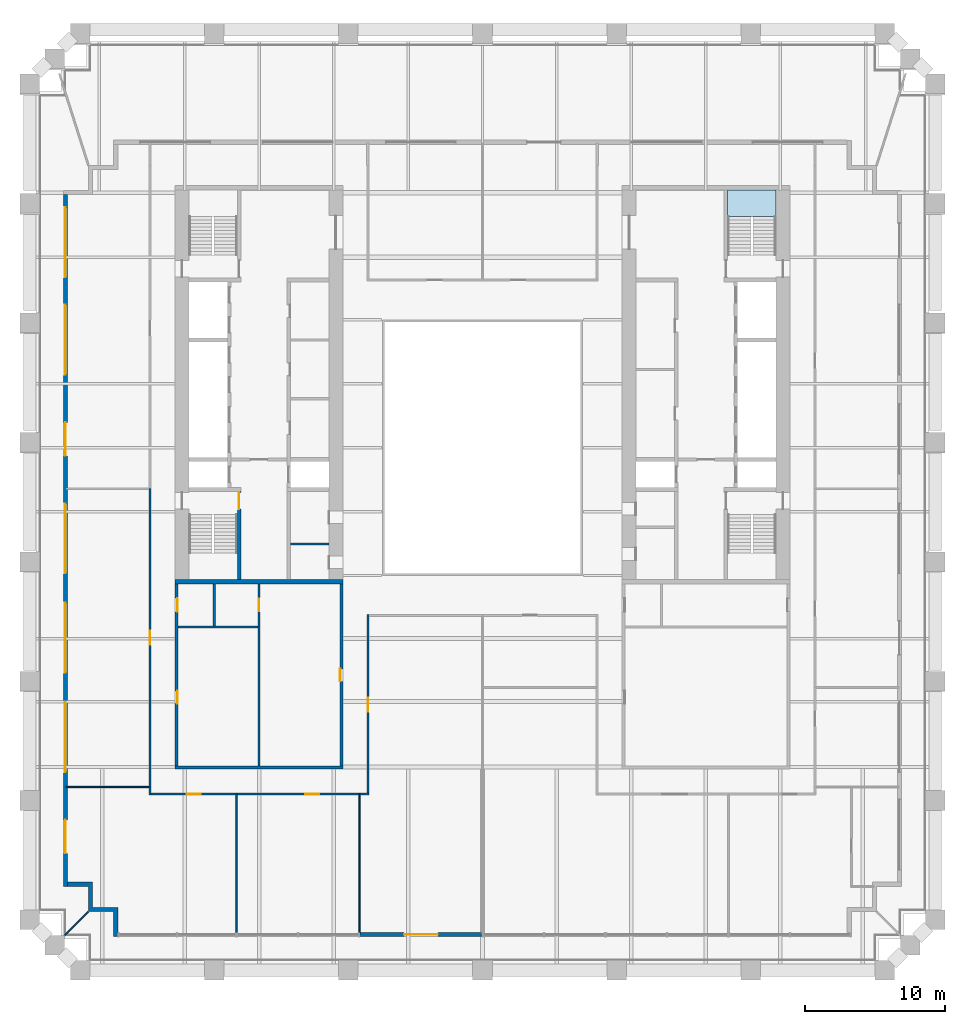
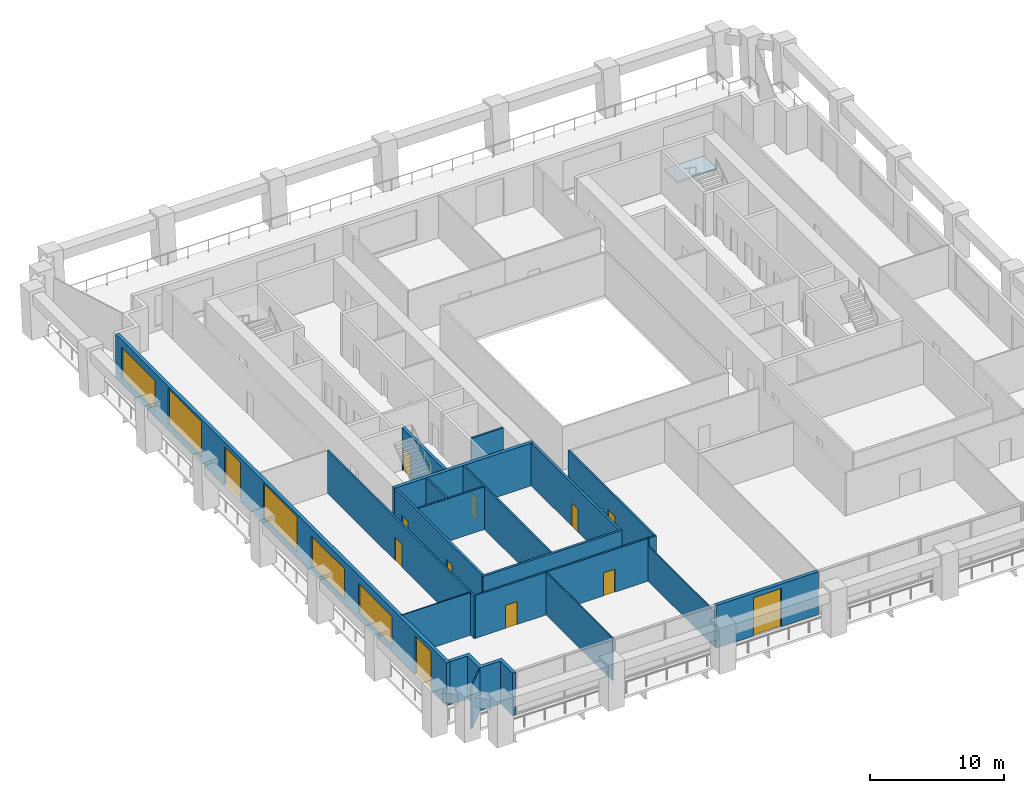
# One storey, part 5 of 11: 22 walls, 12 doors, 5 windows, 1 slab, 17 openings, 1 element without a shape of its own.
"""IFC4 building model written with IfcOpenShell, lengths in metres."""

from ifc_helpers import new_model, si_unit, direction, frame, frame_2d, origin, place, context, subcontext, project, spatial, polyline, rectangle, outline, extrude, material, layer, layer_set, type_object, element, fill, aggregate, save


model = new_model("IFC4")

# Units and contexts
model_context = context("Model", 3, precision=1e-05, world=origin(), true_north=direction((0.0, 1.0)))
body_context = subcontext(model_context, "Body", "Model", "MODEL_VIEW")
ifc_project = project(units=[si_unit("LENGTHUNIT", "METRE"), si_unit("AREAUNIT", "SQUARE_METRE"), si_unit("VOLUMEUNIT", "CUBIC_METRE"), si_unit("PLANEANGLEUNIT", "RADIAN"), si_unit("MASSUNIT", "GRAM", prefix="KILO")], contexts=[model_context])

# Site, building, storey
site_placement = place(None, origin())
site = spatial("IfcSite", under=ifc_project, at=site_placement, CompositionType="ELEMENT")
building_placement = place(site_placement, origin())
building = spatial("IfcBuilding", under=site, at=building_placement, Name="Ogive Exchange Tower", CompositionType="ELEMENT")
storey_placement = place(building_placement, frame((0.0, 0.0, 90.0)))
storey = spatial("IfcBuildingStorey", under=building, at=storey_placement, Name="L19", CompositionType="ELEMENT", Elevation=90.0)

# Stair, slab
ifc_material_1 = material(Name="Concrete C40/50", Category="concrete")
stair_type = type_object("IfcStairType", Name="Exit stair 1650 wide", PredefinedType="HALF_TURN_STAIR", material=ifc_material_1)
stair_placement = place(storey_placement, origin())
stair = element("IfcStair", 1, at=stair_placement, inside=storey, type_object=stair_type, Name="L19 exit stair ST4", PredefinedType="HALF_TURN_STAIR")
ifc_layer_1 = layer(ifc_material_1, 0.199951171875)
ifc_layer_set_1 = layer_set([ifc_layer_1], Name="Stair landing 200 slab")
slab_type = type_object("IfcSlabType", Name="Stair landing 200 slab", PredefinedType="LANDING", material=ifc_layer_set_1)
slab_placement = place(storey_placement, frame((0.0, 0.0, 1.89990234375)))
slab = element("IfcSlab", 2, at=slab_placement, type_object=slab_type, Name="ST4 landing 1", PredefinedType="LANDING", context=body_context, shape_type="SweptSolid", body=[
    extrude(outline(polyline([(21.0, 23.550048828125), (21.0, 25.449951171875), (17.550048828125, 25.449951171875), (17.550048828125, 23.550048828125), (21.0, 23.550048828125)])), origin(), (0.0, 0.0, 1.0), 0.2001953125),
])
aggregate(stair, [slab])

# Wall
ifc_material_2 = material(Name="Gypsum board partition")
ifc_layer_2 = layer(ifc_material_2, 0.14990234375)
ifc_layer_set_2 = layer_set([ifc_layer_2], Name="Core room partition 150 gypsum")
wall_type_1 = type_object("IfcWallType", Name="Core room partition 150 gypsum", PredefinedType="PARTITIONING", material=ifc_layer_set_2)
wall_1_placement = place(storey_placement, frame((-13.75, 0.10009765625, 0.0), z_axis=(0.0, 0.0, 1.0), x_axis=(1.0, 0.0, 0.0)))
element("IfcWall", 3, at=wall_1_placement, inside=storey, type_object=wall_type_1, Name="W south room partition", PredefinedType="PARTITIONING", context=body_context, shape_type="SweptSolid", body=[
    extrude(rectangle(XDim=2.75, YDim=0.14990234375, at=frame_2d((1.375, 0.0))), origin(), (0.0, 0.0, 1.0), 3.89990234375),
])

# Wall, opening, door
wall_2_placement = place(storey_placement, frame((-16.0, -15.800048828125, 0.0), z_axis=(0.0, 0.0, 1.0), x_axis=(0.0, 1.0, 0.0)))
wall_2 = element("IfcWall", 4, at=wall_2_placement, inside=storey, type_object=wall_type_1, Name="W annex S column wall", PredefinedType="PARTITIONING", context=body_context, shape_type="SweptSolid", body=[
    extrude(rectangle(XDim=13.050048828125, YDim=0.14990234375, at=frame_2d((6.52490234375, 0.0))), origin(), (0.0, 0.0, 1.0), 3.89990234375),
])
opening_1_placement = place(wall_2_placement, frame((11.08740234375, 0.0, 0.0)))
opening_1 = element("IfcOpeningElement", 5, at=opening_1_placement, cuts=wall_2, Name="Opening L19-C22", PredefinedType="OPENING", context=body_context, shape_type="SweptSolid", body=[
    extrude(rectangle(XDim=0.89990234375, YDim=2.10009765625, at=frame_2d((0.449951171875, 1.050048828125))), frame((0.0, 0.0849609375, 0.0), z_axis=(0.0, -1.0, 0.0), x_axis=(1.0, 0.0, 0.0)), (0.0, 0.0, 1.0), 0.169921875),
])
ifc_material_3 = material(Name="Steel fire door", Category="steel")
door_type_1 = type_object("IfcDoorType", Name="Riser door FD60 900 x 2100", OperationType="NOTDEFINED", PredefinedType="DOOR", material=ifc_material_3)
door_1_placement = place(opening_1_placement, origin())
door_1 = element("IfcDoor", 6, at=door_1_placement, inside=storey, type_object=door_type_1, Name="Riser door", ObjectType="CD2", OperationType="SINGLE_SWING_LEFT", OverallHeight=2.10009765625, OverallWidth=0.89990234375, PredefinedType="DOOR", context=body_context, shape_type="SweptSolid", body=[
    extrude(rectangle(XDim=0.89990234375, YDim=2.10009765625, at=frame_2d((0.449951171875, 1.050048828125))), frame((0.0, 0.02490234375, 0.0), z_axis=(0.0, -1.0, 0.0), x_axis=(1.0, 0.0, 0.0)), (0.0, 0.0, 1.0), 0.050048828125),
])
fill(opening_1, door_1)

# Walls
wall_3_placement = place(storey_placement, frame((-21.800048828125, -5.85009765625, 0.0), z_axis=(0.0, 0.0, 1.0), x_axis=(1.0, 0.0, 0.0)))
element("IfcWall", 7, at=wall_3_placement, inside=storey, type_object=wall_type_1, Name="W annex S wc strip wall 00", PredefinedType="PARTITIONING", context=body_context, shape_type="SweptSolid", body=[
    extrude(rectangle(XDim=5.72509765625, YDim=0.14990234375, at=frame_2d((2.862548828125, 0.0))), origin(), (0.0, 0.0, 1.0), 3.89990234375),
])
wall_4_placement = place(storey_placement, frame((-19.199951171875, -5.77490234375, 0.0), z_axis=(0.0, 0.0, 1.0), x_axis=(0.0, 1.0, 0.0)))
element("IfcWall", 8, at=wall_4_placement, inside=storey, type_object=wall_type_1, Name="W annex S wc partition 00", PredefinedType="PARTITIONING", context=body_context, shape_type="SweptSolid", body=[
    extrude(rectangle(XDim=3.02490234375, YDim=0.14990234375, at=frame_2d((1.512451171875, 0.0))), origin(), (0.0, 0.0, 1.0), 3.89990234375),
])
ifc_material_4 = material(Name="Fire partition EI 60 150")
ifc_layer_3 = layer(ifc_material_4, 0.14990234375)
ifc_layer_set_3 = layer_set([ifc_layer_3], Name="Fire partition EI 60 150")
wall_type_2 = type_object("IfcWallType", Name="Fire partition EI 60 150", PredefinedType="PARTITIONING", material=ifc_layer_set_3)
wall_5_placement = place(storey_placement, frame((-23.800048828125, -17.875, 0.0), z_axis=(0.0, 0.0, 1.0), x_axis=(0.0, 1.0, 0.0)))
element("IfcWall", 9, at=wall_5_placement, inside=storey, type_object=wall_type_2, Name="L19-PWL-001", PredefinedType="PARTITIONING", context=body_context, shape_type="SweptSolid", body=[
    extrude(rectangle(XDim=0.5849609375, YDim=0.14990234375, at=frame_2d((0.29248046875, 0.0))), origin(), (0.0, 0.0, 1.0), 3.89990234375),
])

# Wall, opening, door
wall_6_placement = place(storey_placement, frame((-23.800048828125, -17.2900390625, 0.0), z_axis=(0.0, 0.0, 1.0), x_axis=(0.0, 1.0, 0.0)))
wall_6 = element("IfcWall", 10, at=wall_6_placement, inside=storey, type_object=wall_type_2, Name="L19-PWL-003", PredefinedType="PARTITIONING", context=body_context, shape_type="SweptSolid", body=[
    extrude(rectangle(XDim=21.35009765625, YDim=0.14990234375, at=frame_2d((10.675048828125, 0.0))), origin(), (0.0, 0.0, 1.0), 3.89990234375),
])
opening_2_placement = place(wall_6_placement, frame((10.199951171875, 0.0, 0.0)))
opening_2 = element("IfcOpeningElement", 11, at=opening_2_placement, cuts=wall_6, Name="Opening L19-I13", PredefinedType="OPENING", context=body_context, shape_type="SweptSolid", body=[
    extrude(rectangle(XDim=1.0, YDim=2.10009765625, at=frame_2d((0.5, 1.050048828125))), frame((0.0, 0.0849609375, 0.0), z_axis=(0.0, -1.0, 0.0), x_axis=(1.0, 0.0, 0.0)), (0.0, 0.0, 1.0), 0.169921875),
])
ifc_material_5 = material(Name="Fire door FD 30S 1000 x 2100")
door_type_2 = type_object("IfcDoorType", Name="Fire door FD 30S 1000 x 2100", OperationType="NOTDEFINED", PredefinedType="DOOR", material=ifc_material_5)
door_2_placement = place(opening_2_placement, origin())
door_2 = element("IfcDoor", 12, at=door_2_placement, inside=storey, type_object=door_type_2, Name="L19-IDR-013", ObjectType="DT3", OperationType="SINGLE_SWING_RIGHT", OverallHeight=2.10009765625, OverallWidth=1.0, PredefinedType="DOOR", context=body_context, shape_type="SweptSolid", body=[
    extrude(rectangle(XDim=1.0, YDim=2.10009765625, at=frame_2d((0.5, 1.050048828125))), frame((0.0, 0.02490234375, 0.0), z_axis=(0.0, -1.0, 0.0), x_axis=(1.0, 0.0, 0.0)), (0.0, 0.0, 1.0), 0.050048828125),
])
fill(opening_2, door_2)

wall_7_placement = place(storey_placement, frame((-17.64990234375, -17.800048828125, 0.0), z_axis=(0.0, 0.0, 1.0), x_axis=(-1.0, 0.0, 0.0)))
wall_7 = element("IfcWall", 13, at=wall_7_placement, inside=storey, type_object=wall_type_2, Name="L19-PWL-008", PredefinedType="PARTITIONING", context=body_context, shape_type="SweptSolid", body=[
    extrude(rectangle(XDim=6.0751953125, YDim=0.14990234375, at=frame_2d((3.03759765625, 0.0))), origin(), (0.0, 0.0, 1.0), 3.89990234375),
])
opening_3_placement = place(wall_7_placement, frame((2.5, 0.0, 0.0)))
opening_3 = element("IfcOpeningElement", 14, at=opening_3_placement, cuts=wall_7, Name="Opening L19-I14", PredefinedType="OPENING", context=body_context, shape_type="SweptSolid", body=[
    extrude(rectangle(XDim=1.0, YDim=2.10009765625, at=frame_2d((0.5, 1.050048828125))), frame((0.0, 0.0849609375, 0.0), z_axis=(0.0, -1.0, 0.0), x_axis=(1.0, 0.0, 0.0)), (0.0, 0.0, 1.0), 0.169921875),
])
door_3_placement = place(opening_3_placement, origin())
door_3 = element("IfcDoor", 15, at=door_3_placement, inside=storey, type_object=door_type_2, Name="L19-IDR-014", ObjectType="DT3", OperationType="SINGLE_SWING_RIGHT", OverallHeight=2.10009765625, OverallWidth=1.0, PredefinedType="DOOR", context=body_context, shape_type="SweptSolid", body=[
    extrude(rectangle(XDim=1.0, YDim=2.10009765625, at=frame_2d((0.5, 1.050048828125))), frame((0.0, 0.02490234375, 0.0), z_axis=(0.0, -1.0, 0.0), x_axis=(1.0, 0.0, 0.0)), (0.0, 0.0, 1.0), 0.050048828125),
])
fill(opening_3, door_3)

wall_8_placement = place(storey_placement, frame((-8.85009765625, -17.800048828125, 0.0), z_axis=(0.0, 0.0, 1.0), x_axis=(-1.0, 0.0, 0.0)))
wall_8 = element("IfcWall", 16, at=wall_8_placement, inside=storey, type_object=wall_type_2, Name="L19-PWL-010", PredefinedType="PARTITIONING", context=body_context, shape_type="SweptSolid", body=[
    extrude(rectangle(XDim=8.699951171875, YDim=0.14990234375, at=frame_2d((4.35009765625, 0.0))), origin(), (0.0, 0.0, 1.0), 3.89990234375),
])
opening_4_placement = place(wall_8_placement, frame((2.85009765625, 0.0, 0.0)))
opening_4 = element("IfcOpeningElement", 17, at=opening_4_placement, cuts=wall_8, Name="Opening L19-I12", PredefinedType="OPENING", context=body_context, shape_type="SweptSolid", body=[
    extrude(rectangle(XDim=1.0, YDim=2.10009765625, at=frame_2d((0.5, 1.050048828125))), frame((0.0, 0.0849609375, 0.0), z_axis=(0.0, -1.0, 0.0), x_axis=(1.0, 0.0, 0.0)), (0.0, 0.0, 1.0), 0.169921875),
])
door_4_placement = place(opening_4_placement, origin())
door_4 = element("IfcDoor", 18, at=door_4_placement, inside=storey, type_object=door_type_2, Name="L19-IDR-012", ObjectType="DT3", OperationType="SINGLE_SWING_RIGHT", OverallHeight=2.10009765625, OverallWidth=1.0, PredefinedType="DOOR", context=body_context, shape_type="SweptSolid", body=[
    extrude(rectangle(XDim=1.0, YDim=2.10009765625, at=frame_2d((0.5, 1.050048828125))), frame((0.0, 0.02490234375, 0.0), z_axis=(0.0, -1.0, 0.0), x_axis=(1.0, 0.0, 0.0)), (0.0, 0.0, 1.0), 0.050048828125),
])
fill(opening_4, door_4)

# Wall
wall_9_placement = place(storey_placement, frame((-8.125, -17.800048828125, 0.0), z_axis=(0.0, 0.0, 1.0), x_axis=(-1.0, 0.0, 0.0)))
element("IfcWall", 19, at=wall_9_placement, inside=storey, type_object=wall_type_2, Name="L19-PWL-012", PredefinedType="PARTITIONING", context=body_context, shape_type="SweptSolid", body=[
    extrude(rectangle(XDim=0.625, YDim=0.14990234375, at=frame_2d((0.3125, 0.0))), origin(), (0.0, 0.0, 1.0), 3.89990234375),
])

# Wall, opening, door
wall_10_placement = place(storey_placement, frame((-8.199951171875, -4.925048828125, 0.0), z_axis=(0.0, 0.0, 1.0), x_axis=(0.0, -1.0, 0.0)))
wall_10 = element("IfcWall", 20, at=wall_10_placement, inside=storey, type_object=wall_type_2, Name="L19-PWL-013", PredefinedType="PARTITIONING", context=body_context, shape_type="SweptSolid", body=[
    extrude(rectangle(XDim=12.800048828125, YDim=0.14990234375, at=frame_2d((6.39990234375, 0.0))), origin(), (0.0, 0.0, 1.0), 3.89990234375),
])
opening_5_placement = place(wall_10_placement, frame((5.97509765625, 0.0, 0.0)))
opening_5 = element("IfcOpeningElement", 21, at=opening_5_placement, cuts=wall_10, Name="Opening L19-I02", PredefinedType="OPENING", context=body_context, shape_type="SweptSolid", body=[
    extrude(rectangle(XDim=1.0, YDim=2.10009765625, at=frame_2d((0.5, 1.050048828125))), frame((0.0, 0.0849609375, 0.0), z_axis=(0.0, -1.0, 0.0), x_axis=(1.0, 0.0, 0.0)), (0.0, 0.0, 1.0), 0.169921875),
])
door_5_placement = place(opening_5_placement, origin())
door_5 = element("IfcDoor", 22, at=door_5_placement, inside=storey, type_object=door_type_2, Name="L19-IDR-002", ObjectType="DT3", OperationType="SINGLE_SWING_LEFT", OverallHeight=2.10009765625, OverallWidth=1.0, PredefinedType="DOOR", context=body_context, shape_type="SweptSolid", body=[
    extrude(rectangle(XDim=1.0, YDim=2.10009765625, at=frame_2d((0.5, 1.050048828125))), frame((0.0, 0.02490234375, 0.0), z_axis=(0.0, -1.0, 0.0), x_axis=(1.0, 0.0, 0.0)), (0.0, 0.0, 1.0), 0.050048828125),
])
fill(opening_5, door_5)

ifc_material_6 = material(Name="Precast concrete C40/50", Category="concrete")
ifc_layer_4 = layer(ifc_material_6, 0.300048828125)
ifc_layer_set_4 = layer_set([ifc_layer_4], Name="Limestone-faced wall 300")
wall_type_3 = type_object("IfcWallType", Name="Limestone-faced wall 300", PredefinedType="STANDARD", material=ifc_layer_set_4)
wall_11_placement = place(storey_placement, frame((-8.800048828125, -27.85009765625, 0.0), z_axis=(0.0, 0.0, 1.0), x_axis=(1.0, 0.0, 0.0)))
wall_11 = element("IfcWall", 23, at=wall_11_placement, inside=storey, type_object=wall_type_3, Name="External wall S1", PredefinedType="STANDARD", context=body_context, shape_type="SweptSolid", body=[
    extrude(rectangle(XDim=8.800048828125, YDim=0.300048828125, at=frame_2d((4.39990234375, 0.0))), origin(), (0.0, 0.0, 1.0), 3.89990234375),
])
opening_6_placement = place(wall_11_placement, frame((3.199951171875, 0.0, 0.0)))
opening_6 = element("IfcOpeningElement", 24, at=opening_6_placement, cuts=wall_11, Name="Opening D1", PredefinedType="OPENING", context=body_context, shape_type="SweptSolid", body=[
    extrude(rectangle(XDim=2.39990234375, YDim=3.5, at=frame_2d((1.199951171875, 1.75))), frame((0.0, 0.159912109375, 0.0), z_axis=(0.0, -1.0, 0.0), x_axis=(1.0, 0.0, 0.0)), (0.0, 0.0, 1.0), 0.320068359375),
])
ifc_material_7 = material(Name="Clear glass in bronze frame", Category="glass")
door_type_3 = type_object("IfcDoorType", Name="Sliding loggia door 2400 x 3500", OperationType="DOUBLE_DOOR_SLIDING", PredefinedType="DOOR", material=ifc_material_7)
door_6_placement = place(opening_6_placement, origin())
door_6 = element("IfcDoor", 25, at=door_6_placement, inside=storey, type_object=door_type_3, Name="Loggia door S02", OperationType="DOUBLE_DOOR_SLIDING", OverallHeight=3.5, OverallWidth=2.39990234375, PredefinedType="DOOR", context=body_context, shape_type="SweptSolid", body=[
    extrude(rectangle(XDim=2.39990234375, YDim=3.5, at=frame_2d((1.199951171875, 1.75))), frame((0.0, 0.02490234375, 0.0), z_axis=(0.0, -1.0, 0.0), x_axis=(1.0, 0.0, 0.0)), (0.0, 0.0, 1.0), 0.050048828125),
])
fill(opening_6, door_6)

# Wall, openings, windows, doors
wall_12_placement = place(storey_placement, frame((-29.85009765625, 25.10009765625, 0.0), z_axis=(0.0, 0.0, 1.0), x_axis=(0.0, -1.0, 0.0)))
wall_12 = element("IfcWall", 26, at=wall_12_placement, inside=storey, type_object=wall_type_3, Name="External wall W4", PredefinedType="STANDARD", context=body_context, shape_type="SweptSolid", body=[
    extrude(rectangle(XDim=49.5, YDim=0.300048828125, at=frame_2d((24.75, 0.0))), origin(), (0.0, 0.0, 1.0), 3.89990234375),
])
opening_7_placement = place(wall_12_placement, frame((0.906982421875, 0.0, 0.449951171875)))
opening_7 = element("IfcOpeningElement", 27, at=opening_7_placement, cuts=wall_12, Name="Opening W2E", PredefinedType="OPENING", context=body_context, shape_type="SweptSolid", body=[
    extrude(rectangle(XDim=5.0, YDim=2.77490234375, at=frame_2d((2.5, 1.387451171875))), frame((0.0, 0.159912109375, 0.0), z_axis=(0.0, -1.0, 0.0), x_axis=(1.0, 0.0, 0.0)), (0.0, 0.0, 1.0), 0.320068359375),
])
opening_8_placement = place(wall_12_placement, frame((7.871337890625, 0.0, 0.449951171875)))
opening_8 = element("IfcOpeningElement", 28, at=opening_8_placement, cuts=wall_12, Name="Opening W2", PredefinedType="OPENING", context=body_context, shape_type="SweptSolid", body=[
    extrude(rectangle(XDim=5.0, YDim=3.25, at=frame_2d((2.5, 1.625))), frame((0.0, 0.159912109375, 0.0), z_axis=(0.0, -1.0, 0.0), x_axis=(1.0, 0.0, 0.0)), (0.0, 0.0, 1.0), 0.320068359375),
])
opening_9_placement = place(wall_12_placement, frame((16.28564453125, 0.0, 0.0)))
opening_9 = element("IfcOpeningElement", 29, at=opening_9_placement, cuts=wall_12, Name="Opening D1", PredefinedType="OPENING", context=body_context, shape_type="SweptSolid", body=[
    extrude(rectangle(XDim=2.39990234375, YDim=3.5, at=frame_2d((1.199951171875, 1.75))), frame((0.0, 0.159912109375, 0.0), z_axis=(0.0, -1.0, 0.0), x_axis=(1.0, 0.0, 0.0)), (0.0, 0.0, 1.0), 0.320068359375),
])
opening_10_placement = place(wall_12_placement, frame((22.10009765625, 0.0, 0.449951171875)))
opening_10 = element("IfcOpeningElement", 30, at=opening_10_placement, cuts=wall_12, Name="Opening W2", PredefinedType="OPENING", context=body_context, shape_type="SweptSolid", body=[
    extrude(rectangle(XDim=5.0, YDim=3.25, at=frame_2d((2.5, 1.625))), frame((0.0, 0.159912109375, 0.0), z_axis=(0.0, -1.0, 0.0), x_axis=(1.0, 0.0, 0.0)), (0.0, 0.0, 1.0), 0.320068359375),
])
opening_11_placement = place(wall_12_placement, frame((29.214111328125, 0.0, 0.449951171875)))
opening_11 = element("IfcOpeningElement", 31, at=opening_11_placement, cuts=wall_12, Name="Opening W2E", PredefinedType="OPENING", context=body_context, shape_type="SweptSolid", body=[
    extrude(rectangle(XDim=5.0, YDim=2.77490234375, at=frame_2d((2.5, 1.387451171875))), frame((0.0, 0.159912109375, 0.0), z_axis=(0.0, -1.0, 0.0), x_axis=(1.0, 0.0, 0.0)), (0.0, 0.0, 1.0), 0.320068359375),
])
opening_12_placement = place(wall_12_placement, frame((36.32861328125, 0.0, 0.449951171875)))
opening_12 = element("IfcOpeningElement", 32, at=opening_12_placement, cuts=wall_12, Name="Opening W2G", PredefinedType="OPENING", context=body_context, shape_type="SweptSolid", body=[
    extrude(rectangle(XDim=5.0, YDim=2.72509765625, at=frame_2d((2.5, 1.362548828125))), frame((0.0, 0.159912109375, 0.0), z_axis=(0.0, -1.0, 0.0), x_axis=(1.0, 0.0, 0.0)), (0.0, 0.0, 1.0), 0.320068359375),
])
opening_13_placement = place(wall_12_placement, frame((44.742919921875, 0.0, 0.0)))
opening_13 = element("IfcOpeningElement", 33, at=opening_13_placement, cuts=wall_12, Name="Opening D1", PredefinedType="OPENING", context=body_context, shape_type="SweptSolid", body=[
    extrude(rectangle(XDim=2.39990234375, YDim=3.5, at=frame_2d((1.199951171875, 1.75))), frame((0.0, 0.159912109375, 0.0), z_axis=(0.0, -1.0, 0.0), x_axis=(1.0, 0.0, 0.0)), (0.0, 0.0, 1.0), 0.320068359375),
])
window_type_1 = type_object("IfcWindowType", Name="Executive lancet window 5000 x 2725", PartitioningType="DOUBLE_PANEL_VERTICAL", PredefinedType="WINDOW", material=ifc_material_7)
window_1_placement = place(opening_12_placement, origin())
window_1 = element("IfcWindow", 34, at=window_1_placement, inside=storey, type_object=window_type_1, Name="Window W05", OverallHeight=2.72509765625, OverallWidth=5.0, PartitioningType="DOUBLE_PANEL_VERTICAL", PredefinedType="WINDOW", context=body_context, shape_type="SweptSolid", body=[
    extrude(rectangle(XDim=5.0, YDim=2.72509765625, at=frame_2d((2.5, 1.362548828125))), frame((0.0, 0.030029296875, 0.0), z_axis=(0.0, -1.0, 0.0), x_axis=(1.0, 0.0, 0.0)), (0.0, 0.0, 1.0), 0.06005859375),
])
fill(opening_12, window_1)
window_type_2 = type_object("IfcWindowType", Name="Executive lancet window 5000 x 2775", PartitioningType="DOUBLE_PANEL_VERTICAL", PredefinedType="WINDOW", material=ifc_material_7)
window_2_placement = place(opening_7_placement, origin())
window_2 = element("IfcWindow", 35, at=window_2_placement, inside=storey, type_object=window_type_2, Name="Window W00", OverallHeight=2.77490234375, OverallWidth=5.0, PartitioningType="DOUBLE_PANEL_VERTICAL", PredefinedType="WINDOW", context=body_context, shape_type="SweptSolid", body=[
    extrude(rectangle(XDim=5.0, YDim=2.77490234375, at=frame_2d((2.5, 1.387451171875))), frame((0.0, 0.030029296875, 0.0), z_axis=(0.0, -1.0, 0.0), x_axis=(1.0, 0.0, 0.0)), (0.0, 0.0, 1.0), 0.06005859375),
])
fill(opening_7, window_2)
window_3_placement = place(opening_11_placement, origin())
window_3 = element("IfcWindow", 36, at=window_3_placement, inside=storey, type_object=window_type_2, Name="Window W04", OverallHeight=2.77490234375, OverallWidth=5.0, PartitioningType="DOUBLE_PANEL_VERTICAL", PredefinedType="WINDOW", context=body_context, shape_type="SweptSolid", body=[
    extrude(rectangle(XDim=5.0, YDim=2.77490234375, at=frame_2d((2.5, 1.387451171875))), frame((0.0, 0.030029296875, 0.0), z_axis=(0.0, -1.0, 0.0), x_axis=(1.0, 0.0, 0.0)), (0.0, 0.0, 1.0), 0.06005859375),
])
fill(opening_11, window_3)
window_type_3 = type_object("IfcWindowType", Name="Executive lancet window 5000 x 3250", PartitioningType="DOUBLE_PANEL_VERTICAL", PredefinedType="WINDOW", material=ifc_material_7)
window_4_placement = place(opening_8_placement, origin())
window_4 = element("IfcWindow", 37, at=window_4_placement, inside=storey, type_object=window_type_3, Name="Window W01", OverallHeight=3.25, OverallWidth=5.0, PartitioningType="DOUBLE_PANEL_VERTICAL", PredefinedType="WINDOW", context=body_context, shape_type="SweptSolid", body=[
    extrude(rectangle(XDim=5.0, YDim=3.25, at=frame_2d((2.5, 1.625))), frame((0.0, 0.030029296875, 0.0), z_axis=(0.0, -1.0, 0.0), x_axis=(1.0, 0.0, 0.0)), (0.0, 0.0, 1.0), 0.06005859375),
])
fill(opening_8, window_4)
window_5_placement = place(opening_10_placement, origin())
window_5 = element("IfcWindow", 38, at=window_5_placement, inside=storey, type_object=window_type_3, Name="Window W03", OverallHeight=3.25, OverallWidth=5.0, PartitioningType="DOUBLE_PANEL_VERTICAL", PredefinedType="WINDOW", context=body_context, shape_type="SweptSolid", body=[
    extrude(rectangle(XDim=5.0, YDim=3.25, at=frame_2d((2.5, 1.625))), frame((0.0, 0.030029296875, 0.0), z_axis=(0.0, -1.0, 0.0), x_axis=(1.0, 0.0, 0.0)), (0.0, 0.0, 1.0), 0.06005859375),
])
fill(opening_10, window_5)
door_7_placement = place(opening_9_placement, origin())
door_7 = element("IfcDoor", 39, at=door_7_placement, inside=storey, type_object=door_type_3, Name="Loggia door W02", OperationType="DOUBLE_DOOR_SLIDING", OverallHeight=3.5, OverallWidth=2.39990234375, PredefinedType="DOOR", context=body_context, shape_type="SweptSolid", body=[
    extrude(rectangle(XDim=2.39990234375, YDim=3.5, at=frame_2d((1.199951171875, 1.75))), frame((0.0, 0.02490234375, 0.0), z_axis=(0.0, -1.0, 0.0), x_axis=(1.0, 0.0, 0.0)), (0.0, 0.0, 1.0), 0.050048828125),
])
fill(opening_9, door_7)
door_8_placement = place(opening_13_placement, origin())
door_8 = element("IfcDoor", 40, at=door_8_placement, inside=storey, type_object=door_type_3, Name="Loggia door W06", OperationType="DOUBLE_DOOR_SLIDING", OverallHeight=3.5, OverallWidth=2.39990234375, PredefinedType="DOOR", context=body_context, shape_type="SweptSolid", body=[
    extrude(rectangle(XDim=2.39990234375, YDim=3.5, at=frame_2d((1.199951171875, 1.75))), frame((0.0, 0.02490234375, 0.0), z_axis=(0.0, -1.0, 0.0), x_axis=(1.0, 0.0, 0.0)), (0.0, 0.0, 1.0), 0.050048828125),
])
fill(opening_13, door_8)

# Walls
wall_13_placement = place(storey_placement, origin())
element("IfcWall", 41, at=wall_13_placement, inside=storey, type_object=wall_type_3, Name="External corner wall C4", PredefinedType="STANDARD", context=body_context, shape_type="SweptSolid", body=[
    extrude(outline(polyline([(-26.39990234375, -26.199951171875), (-28.199951171875, -26.199951171875), (-28.199951171875, -24.39990234375), (-29.699951171875, -24.39990234375), (-29.699951171875, -24.10009765625), (-27.89990234375, -24.10009765625), (-27.89990234375, -25.89990234375), (-26.10009765625, -25.89990234375), (-26.10009765625, -28.0), (-26.39990234375, -28.0), (-26.39990234375, -26.199951171875)])), origin(), (0.0, 0.0, 1.0), 3.89990234375),
])
ifc_material_8 = material(Name="Laminated safety glass in steel frame", Category="steel")
ifc_layer_5 = layer(ifc_material_8, 0.10009765625)
ifc_layer_set_5 = layer_set([ifc_layer_5], Name="Loggia end screen 100")
wall_type_4 = type_object("IfcWallType", Name="Loggia end screen 100", PredefinedType="STANDARD", material=ifc_layer_set_5)
wall_14_placement = place(storey_placement, frame((-28.199951171875, -26.199951171875, -0.050048828125), z_axis=(0.0, 0.0, 1.0), x_axis=(-0.707106781187, -0.707106781187, 0.0)))
element("IfcWall", 42, at=wall_14_placement, inside=storey, type_object=wall_type_4, Name="Loggia end screen C4", PredefinedType="STANDARD", context=body_context, shape_type="SweptSolid", body=[
    extrude(rectangle(XDim=2.384521484375, YDim=0.10009765625, at=frame_2d((1.1923828125, 0.0))), origin(), (0.0, 0.0, 1.0), 3.949951171875),
])
ifc_material_9 = material(Name="Partition 100 gypsum")
ifc_layer_6 = layer(ifc_material_9, 0.10009765625)
ifc_layer_set_6 = layer_set([ifc_layer_6], Name="Partition 100 gypsum")
wall_type_5 = type_object("IfcWallType", Name="Partition 100 gypsum", PredefinedType="PARTITIONING", material=ifc_layer_set_6)
wall_15_placement = place(storey_placement, frame((-23.875, -17.2900390625, 0.0), z_axis=(0.0, 0.0, 1.0), x_axis=(-1.0, 0.0, 0.0)))
element("IfcWall", 43, at=wall_15_placement, inside=storey, type_object=wall_type_5, Name="L19-PWL-002", PredefinedType="PARTITIONING", context=body_context, shape_type="SweptSolid", body=[
    extrude(rectangle(XDim=5.925048828125, YDim=0.10009765625, at=frame_2d((2.96240234375, 0.0))), origin(), (0.0, 0.0, 1.0), 3.89990234375),
])
wall_16_placement = place(storey_placement, frame((-17.60009765625, -27.800048828125, 0.0), z_axis=(0.0, 0.0, 1.0), x_axis=(0.0, 1.0, 0.0)))
element("IfcWall", 44, at=wall_16_placement, inside=storey, type_object=wall_type_5, Name="L19-PWL-007", PredefinedType="PARTITIONING", context=body_context, shape_type="SweptSolid", body=[
    extrude(rectangle(XDim=10.074951171875, YDim=0.10009765625, at=frame_2d((5.03759765625, 0.0))), origin(), (0.0, 0.0, 1.0), 3.89990234375),
])
wall_17_placement = place(storey_placement, frame((-8.800048828125, -27.800048828125, 0.0), z_axis=(0.0, 0.0, 1.0), x_axis=(0.0, 1.0, 0.0)))
element("IfcWall", 45, at=wall_17_placement, inside=storey, type_object=wall_type_5, Name="L19-PWL-009", PredefinedType="PARTITIONING", context=body_context, shape_type="SweptSolid", body=[
    extrude(rectangle(XDim=10.074951171875, YDim=0.10009765625, at=frame_2d((5.03759765625, 0.0))), origin(), (0.0, 0.0, 1.0), 3.221923828125),
])

# Wall, openings, doors
ifc_material_10 = material(Name="Concrete C70/85", Category="concrete")
ifc_layer_7 = layer(ifc_material_10, 0.199951171875)
ifc_layer_set_7 = layer_set([ifc_layer_7], Name="RC core wall 200 C70/85")
wall_type_6 = type_object("IfcWallType", Name="RC core wall 200 C70/85", PredefinedType="SHEAR", material=ifc_layer_set_7)
wall_18_placement = place(storey_placement, frame((-21.89990234375, -15.800048828125, 0.0), z_axis=(0.0, 0.0, 1.0), x_axis=(0.0, 1.0, 0.0)))
wall_18 = element("IfcWall", 46, at=wall_18_placement, inside=storey, type_object=wall_type_6, Name="W annex S outer wall", PredefinedType="SHEAR", context=body_context, shape_type="SweptSolid", body=[
    extrude(rectangle(XDim=13.050048828125, YDim=0.199951171875, at=frame_2d((6.52490234375, 0.0))), origin(), (0.0, 0.0, 1.0), 3.89990234375),
])
opening_14_placement = place(wall_18_placement, frame((4.487548828125, 0.0, 0.0)))
opening_14 = element("IfcOpeningElement", 47, at=opening_14_placement, cuts=wall_18, Name="Opening L19-C20", PredefinedType="OPENING", context=body_context, shape_type="SweptSolid", body=[
    extrude(rectangle(XDim=0.89990234375, YDim=2.10009765625, at=frame_2d((0.449951171875, 1.050048828125))), frame((0.0, 0.10986328125, 0.0), z_axis=(0.0, -1.0, 0.0), x_axis=(1.0, 0.0, 0.0)), (0.0, 0.0, 1.0), 0.219970703125),
])
opening_15_placement = place(wall_18_placement, frame((11.03759765625, 0.0, 0.0)))
opening_15 = element("IfcOpeningElement", 48, at=opening_15_placement, cuts=wall_18, Name="Opening L19-C21", PredefinedType="OPENING", context=body_context, shape_type="SweptSolid", body=[
    extrude(rectangle(XDim=1.0, YDim=2.10009765625, at=frame_2d((0.5, 1.050048828125))), frame((0.0, 0.10986328125, 0.0), z_axis=(0.0, -1.0, 0.0), x_axis=(1.0, 0.0, 0.0)), (0.0, 0.0, 1.0), 0.219970703125),
])
ifc_material_11 = material(Name="Timber fire door", Category="wood")
door_type_4 = type_object("IfcDoorType", Name="Accessible WC door FD30S 1000 x 2100", OperationType="NOTDEFINED", PredefinedType="DOOR", material=ifc_material_11)
door_9_placement = place(opening_15_placement, frame((1.0, -0.14990234375, 0.0), z_axis=(0.0, 0.0, 1.0), x_axis=(-1.0, 0.0, 0.0)))
door_9 = element("IfcDoor", 49, at=door_9_placement, inside=storey, type_object=door_type_4, Name="Accessible WC door", ObjectType="CD7", OperationType="SINGLE_SWING_RIGHT", OverallHeight=2.10009765625, OverallWidth=1.0, PredefinedType="DOOR", context=body_context, shape_type="SweptSolid", body=[
    extrude(rectangle(XDim=1.0, YDim=2.10009765625, at=frame_2d((0.5, 1.050048828125))), frame((0.0, -0.0498046875, 0.0), z_axis=(0.0, -1.0, 0.0), x_axis=(1.0, 0.0, 0.0)), (0.0, 0.0, 1.0), 0.050048828125),
])
fill(opening_15, door_9)
door_10_placement = place(opening_14_placement, frame((0.89990234375, -0.14990234375, 0.0), z_axis=(0.0, 0.0, 1.0), x_axis=(-1.0, 0.0, 0.0)))
door_10 = element("IfcDoor", 50, at=door_10_placement, inside=storey, type_object=door_type_1, Name="Riser door", ObjectType="CD2", OperationType="SINGLE_SWING_RIGHT", OverallHeight=2.10009765625, OverallWidth=0.89990234375, PredefinedType="DOOR", context=body_context, shape_type="SweptSolid", body=[
    extrude(rectangle(XDim=0.89990234375, YDim=2.10009765625, at=frame_2d((0.449951171875, 1.050048828125))), frame((0.0, -0.0498046875, 0.0), z_axis=(0.0, -1.0, 0.0), x_axis=(1.0, 0.0, 0.0)), (0.0, 0.0, 1.0), 0.050048828125),
])
fill(opening_14, door_10)

# Wall, opening, door
wall_19_placement = place(storey_placement, frame((-10.10009765625, -15.800048828125, 0.0), z_axis=(0.0, 0.0, 1.0), x_axis=(0.0, 1.0, 0.0)))
wall_19 = element("IfcWall", 51, at=wall_19_placement, inside=storey, type_object=wall_type_6, Name="W annex S inner wall", PredefinedType="SHEAR", context=body_context, shape_type="SweptSolid", body=[
    extrude(rectangle(XDim=13.050048828125, YDim=0.199951171875, at=frame_2d((6.52490234375, 0.0))), origin(), (0.0, 0.0, 1.0), 3.89990234375),
])
opening_16_placement = place(wall_19_placement, frame((6.074951171875, 0.0, 0.0)))
opening_16 = element("IfcOpeningElement", 52, at=opening_16_placement, cuts=wall_19, Name="Opening L19-C23", PredefinedType="OPENING", context=body_context, shape_type="SweptSolid", body=[
    extrude(rectangle(XDim=0.89990234375, YDim=2.10009765625, at=frame_2d((0.449951171875, 1.050048828125))), frame((0.0, 0.10986328125, 0.0), z_axis=(0.0, -1.0, 0.0), x_axis=(1.0, 0.0, 0.0)), (0.0, 0.0, 1.0), 0.219970703125),
])
door_type_5 = type_object("IfcDoorType", Name="Core room door FD30S 900 x 2100", OperationType="NOTDEFINED", PredefinedType="DOOR", material=ifc_material_11)
door_11_placement = place(opening_16_placement, origin())
door_11 = element("IfcDoor", 53, at=door_11_placement, inside=storey, type_object=door_type_5, Name="Core room door", ObjectType="CD6", OperationType="SINGLE_SWING_LEFT", OverallHeight=2.10009765625, OverallWidth=0.89990234375, PredefinedType="DOOR", context=body_context, shape_type="SweptSolid", body=[
    extrude(rectangle(XDim=0.89990234375, YDim=2.10009765625, at=frame_2d((0.449951171875, 1.050048828125))), frame((0.0, 0.10009765625, 0.0), z_axis=(0.0, -1.0, 0.0), x_axis=(1.0, 0.0, 0.0)), (0.0, 0.0, 1.0), 0.050048828125),
])
fill(opening_16, door_11)

# Wall
wall_20_placement = place(storey_placement, frame((-22.0, -15.89990234375, 0.0), z_axis=(0.0, 0.0, 1.0), x_axis=(1.0, 0.0, 0.0)))
element("IfcWall", 54, at=wall_20_placement, inside=storey, type_object=wall_type_6, Name="W annex S end wall", PredefinedType="SHEAR", context=body_context, shape_type="SweptSolid", body=[
    extrude(rectangle(XDim=12.0, YDim=0.199951171875, at=frame_2d((6.0, 0.0))), origin(), (0.0, 0.0, 1.0), 3.89990234375),
])

# Wall, opening, door
ifc_layer_8 = layer(ifc_material_10, 0.25)
ifc_layer_set_8 = layer_set([ifc_layer_8], Name="RC core wall 250 C70/85")
wall_type_7 = type_object("IfcWallType", Name="RC core wall 250 C70/85", PredefinedType="SHEAR", material=ifc_layer_set_8)
wall_21_placement = place(storey_placement, frame((-17.425048828125, -2.449951171875, 0.0), z_axis=(0.0, 0.0, 1.0), x_axis=(0.0, 1.0, 0.0)))
wall_21 = element("IfcWall", 55, at=wall_21_placement, inside=storey, type_object=wall_type_7, Name="W stair S front wall", PredefinedType="SHEAR", context=body_context, shape_type="SweptSolid", body=[
    extrude(rectangle(XDim=6.300048828125, YDim=0.25, at=frame_2d((3.14990234375, 0.0))), origin(), (0.0, 0.0, 1.0), 3.89990234375),
])
opening_17_placement = place(wall_21_placement, frame((5.050048828125, 0.0, 0.0)))
opening_17 = element("IfcOpeningElement", 56, at=opening_17_placement, cuts=wall_21, Name="Opening L19-C14", PredefinedType="OPENING", context=body_context, shape_type="SweptSolid", body=[
    extrude(rectangle(XDim=1.199951171875, YDim=2.10009765625, at=frame_2d((0.60009765625, 1.050048828125))), frame((0.0, 0.135009765625, 0.0), z_axis=(0.0, -1.0, 0.0), x_axis=(1.0, 0.0, 0.0)), (0.0, 0.0, 1.0), 0.27001953125),
])
door_type_6 = type_object("IfcDoorType", Name="Stair door FD90 1200 x 2100", OperationType="NOTDEFINED", PredefinedType="DOOR", material=ifc_material_3)
door_12_placement = place(opening_17_placement, origin())
door_12 = element("IfcDoor", 57, at=door_12_placement, inside=storey, type_object=door_type_6, Name="Stair door", ObjectType="CD5", OperationType="SINGLE_SWING_LEFT", OverallHeight=2.10009765625, OverallWidth=1.199951171875, PredefinedType="DOOR", context=body_context, shape_type="SweptSolid", body=[
    extrude(rectangle(XDim=1.199951171875, YDim=2.10009765625, at=frame_2d((0.60009765625, 1.050048828125))), frame((0.0, 0.02490234375, 0.0), z_axis=(0.0, -1.0, 0.0), x_axis=(1.0, 0.0, 0.0)), (0.0, 0.0, 1.0), 0.050048828125),
])
fill(opening_17, door_12)

# Wall
ifc_layer_9 = layer(ifc_material_10, 0.300048828125)
ifc_layer_set_9 = layer_set([ifc_layer_9], Name="RC core wall 300 C70/85")
wall_type_8 = type_object("IfcWallType", Name="RC core wall 300 C70/85", PredefinedType="SHEAR", material=ifc_layer_set_9)
wall_22_placement = place(storey_placement, frame((-22.0, -2.60009765625, 0.0), z_axis=(0.0, 0.0, 1.0), x_axis=(1.0, 0.0, 0.0)))
element("IfcWall", 58, at=wall_22_placement, inside=storey, type_object=wall_type_8, Name="W south end wall", PredefinedType="SHEAR", context=body_context, shape_type="SweptSolid", body=[
    extrude(rectangle(XDim=12.0, YDim=0.300048828125, at=frame_2d((6.0, 0.0))), origin(), (0.0, 0.0, 1.0), 3.89990234375),
])

save(model, "model.ifc")
